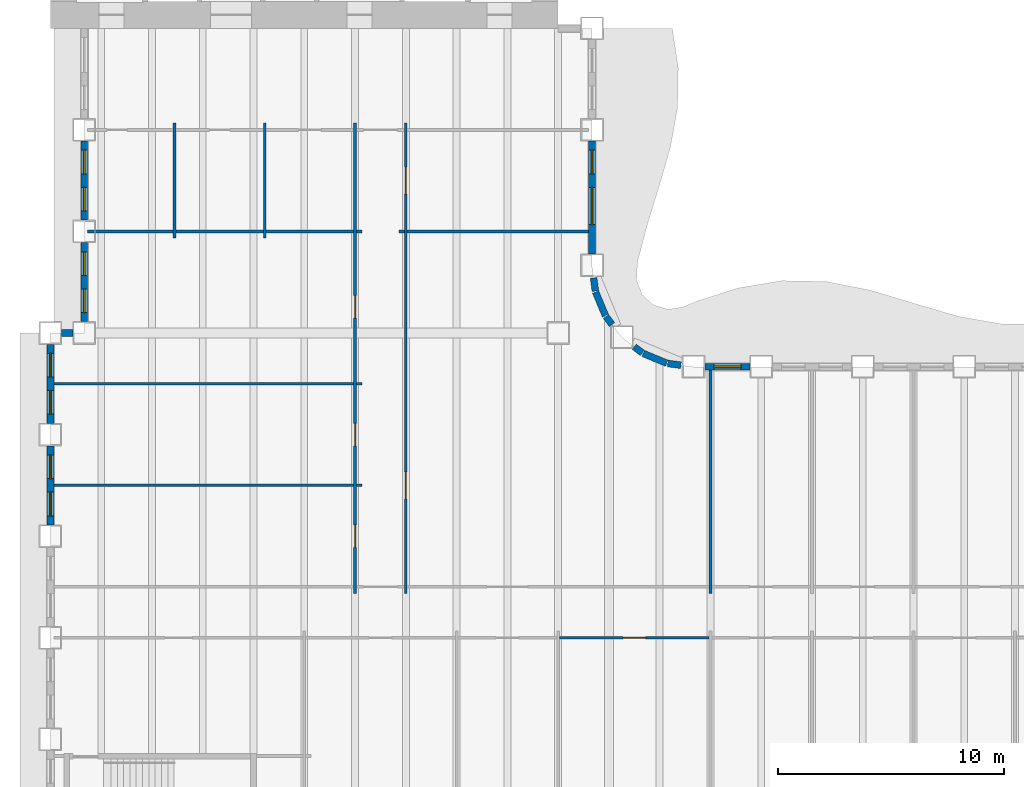
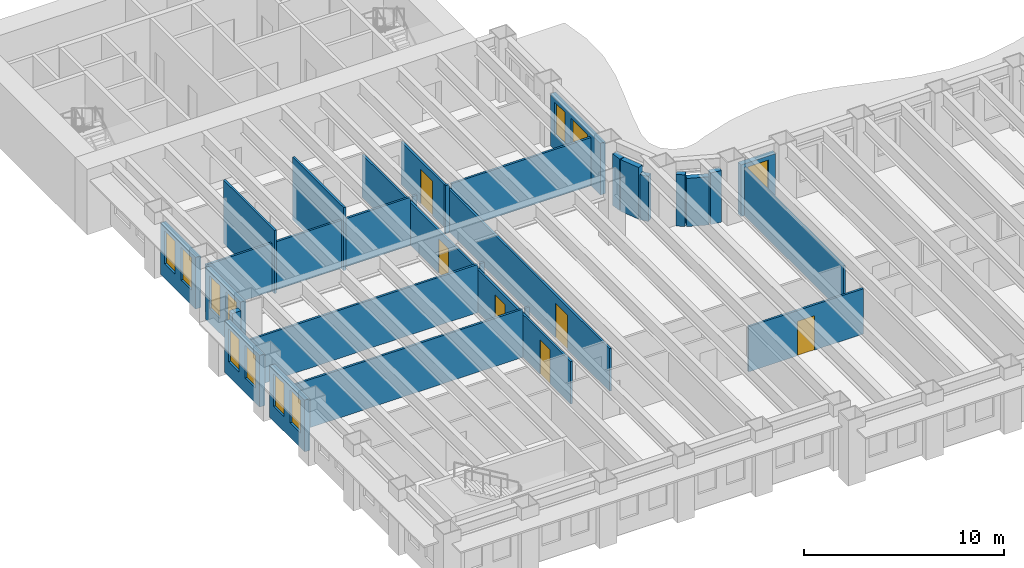
# One storey, part 4 of 16: 29 walls, 11 windows, 6 doors, 17 openings.
"""IFC4 building model written with IfcOpenShell, lengths in metres."""

import ifcopenshell
import ifcopenshell.guid

model = None  # the IFC model being written
_history = None  # IfcOwnerHistory: only IFC2X3 demands one
_inside = {}  # id of a spatial element -> (the spatial element, [elements in it])
_under = {}  # id of a project, library or spatial element -> (it, [spatial elements below it])
_declared = {}  # id of a project -> (the project, [libraries it declares])
_typed = {}  # id of a type object -> (the type object, [elements of that type])
_made_of = {}  # id of a material, layer set ... -> (it, [elements and type objects made of it])


def new_model(schema):
    """Start an empty IFC model of exactly this schema.

    Asked for "IFC4X3", IfcOpenShell would pick the latest addendum, in which some entities
    have other attributes; the version numbers below select the first issue.
    IFC2X3 requires an IfcOwnerHistory on every rooted entity: one is made here for all.
    """
    global model, _history
    if schema == "IFC4X3":
        model = ifcopenshell.file(schema_version=(4, 3, 0, 0))
    else:
        model = ifcopenshell.file(schema=schema)
    _inside.clear()
    _under.clear()
    _declared.clear()
    _typed.clear()
    _made_of.clear()
    _history = None
    if model.schema == "IFC2X3":
        org = make("IfcOrganization", Name="unknown")
        user = make(
            "IfcPersonAndOrganization",
            ThePerson=make("IfcPerson", FamilyName="unknown"),
            TheOrganization=org,
        )
        app = make(
            "IfcApplication",
            ApplicationDeveloper=org,
            Version="unknown",
            ApplicationFullName="unknown",
            ApplicationIdentifier="unknown",
        )
        _history = make(
            "IfcOwnerHistory",
            OwningUser=user,
            OwningApplication=app,
            ChangeAction="ADDED",
            CreationDate=0,
        )
    return model


def make(cls, **values):
    """One entity of the class cls with the attributes given. An attribute that is None is left unset."""
    return model.create_entity(
        cls, **{name: value for name, value in values.items() if value is not None}
    )


def rooted(cls, **values):
    """An entity with a GlobalId (a new one), such as an element, a storey or a relation."""
    return make(cls, GlobalId=ifcopenshell.guid.new(), OwnerHistory=_history, **values)


def si_unit(unit_type, name, prefix=None):
    """IfcSIUnit, for example si_unit("LENGTHUNIT", "METRE", prefix="MILLI")."""
    return make("IfcSIUnit", UnitType=unit_type, Prefix=prefix, Name=name)


def assignment(units):
    """IfcUnitAssignment: the units of a project."""
    return None if units is None else make("IfcUnitAssignment", Units=units)


def point(xyz):
    """IfcCartesianPoint."""
    return None if xyz is None else make("IfcCartesianPoint", Coordinates=xyz)


def direction(xyz):
    """IfcDirection."""
    return None if xyz is None else make("IfcDirection", DirectionRatios=xyz)


def frame(location, z_axis=None, x_axis=None):
    """IfcAxis2Placement3D, a coordinate frame: its origin and axes. An axis left out is left unset."""
    return make(
        "IfcAxis2Placement3D",
        Location=point(location),
        Axis=direction(z_axis),
        RefDirection=direction(x_axis),
    )


def frame_2d(location, x_axis=None):
    """IfcAxis2Placement2D, a coordinate frame in the plane: its origin and x axis."""
    return make(
        "IfcAxis2Placement2D", Location=point(location), RefDirection=direction(x_axis)
    )


def origin():
    """The frame at (0, 0, 0) with its axes left unset."""
    return frame((0.0, 0.0, 0.0))


def place(relative_to, where):
    """IfcLocalPlacement: puts the frame where relative to a parent placement (None: the world)."""
    return make(
        "IfcLocalPlacement", PlacementRelTo=relative_to, RelativePlacement=where
    )


def context(
    kind, dimensions, precision=None, world=None, true_north=None, identifier=None
):
    """IfcGeometricRepresentationContext, for example the 3D "Model" context."""
    return make(
        "IfcGeometricRepresentationContext",
        ContextIdentifier=identifier,
        ContextType=kind,
        CoordinateSpaceDimension=dimensions,
        Precision=precision,
        WorldCoordinateSystem=world,
        TrueNorth=true_north,
    )


def subcontext(parent, identifier, kind, view, scale=None):
    """IfcGeometricRepresentationSubContext, for example "Body" below "Model"."""
    return make(
        "IfcGeometricRepresentationSubContext",
        ContextIdentifier=identifier,
        ContextType=kind,
        ParentContext=parent,
        TargetScale=scale,
        TargetView=view,
    )


def project(units=None, contexts=None):
    """IfcProject with its units and contexts."""
    return rooted(
        "IfcProject",
        Name="project",
        RepresentationContexts=contexts,
        UnitsInContext=assignment(units),
    )


def spatial(cls, under=None, at=None, **own):
    """A site, building, storey or space (cls), placed at a placement, below another one or the project."""
    s = rooted(cls, ObjectPlacement=at, **own)
    if under is not None:
        _under.setdefault(under.id(), (under, []))[1].append(s)
    return s


def profile(cls, at=None, kind="AREA", **sizes):
    """A parametric profile (cls). Its sizes go by their IFC names, for example OverallWidth=200.0."""
    return make(cls, ProfileType=kind, Position=at, **sizes)


def rectangle(**sizes):
    """IfcRectangleProfileDef."""
    return profile("IfcRectangleProfileDef", **sizes)


def extrude(swept, where, along, depth):
    """IfcExtrudedAreaSolid: the profile swept, set in the frame where, extruded along a direction by depth."""
    return make(
        "IfcExtrudedAreaSolid",
        SweptArea=swept,
        Position=where,
        ExtrudedDirection=direction(along),
        Depth=depth,
    )


def shape(context_of_items, identifier, shape_type, items):
    """IfcShapeRepresentation: the items that make up one representation, for example the "Body"."""
    return make(
        "IfcShapeRepresentation",
        ContextOfItems=context_of_items,
        RepresentationIdentifier=identifier,
        RepresentationType=shape_type,
        Items=items,
    )


def material(Name=None, Category=None):
    """IfcMaterial."""
    return make("IfcMaterial", Name=Name, Category=Category)


def layer(
    of_material, thickness, ventilated=None, Name=None, Category=None, Priority=None
):
    """IfcMaterialLayer: one layer of a wall or slab, of a material (None: an air gap)."""
    return make(
        "IfcMaterialLayer",
        Material=of_material,
        LayerThickness=thickness,
        IsVentilated=ventilated,
        Name=Name,
        Category=Category,
        Priority=Priority,
    )


def layer_set(layers, Name=None):
    """IfcMaterialLayerSet."""
    return make("IfcMaterialLayerSet", MaterialLayers=layers, LayerSetName=Name)


def made_of(thing, what):
    """Note that an element or type object is made of a material, layer set ...; save() writes the relation."""
    if what is not None:
        _made_of.setdefault(what.id(), (what, []))[1].append(thing)
    return thing


def type_object(cls, material=None, **own):
    """A type object (cls), such as IfcWallType, which elements share."""
    return made_of(rooted(cls, **own), material)


def element(
    cls,
    number,
    at=None,
    inside=None,
    cuts=None,
    type_object=None,
    material=None,
    context=None,
    identifier="Body",
    shape_type=None,
    held_by="IfcProductDefinitionShape",
    body=None,
    shapes=None,
    **own,
):
    """One element of the class cls, such as IfcWall. Its Tag is "e" and its number.

    at: its placement. inside: the storey or other place that contains it. cuts: it is an
    opening in that element (IfcRelVoidsElement). A single representation is given by context,
    identifier, shape_type and body (its items); several are given by shapes. held_by: the class
    of the entity that holds the representations. save() writes the other relations.
    """
    e = rooted(cls, Tag="e%d" % number, ObjectPlacement=at, **own)
    if body is not None:
        shapes = [shape(context, identifier, shape_type, body)]
    if shapes is not None:
        e.Representation = make(held_by, Representations=shapes)
    if inside is not None:
        _inside.setdefault(inside.id(), (inside, []))[1].append(e)
    if cuts is not None:
        rooted(
            "IfcRelVoidsElement", RelatingBuildingElement=cuts, RelatedOpeningElement=e
        )
    if type_object is not None:
        _typed.setdefault(type_object.id(), (type_object, []))[1].append(e)
    return made_of(e, material)


def fill(opening, filler):
    """IfcRelFillsElement: the door or window that sits in an opening."""
    return rooted(
        "IfcRelFillsElement",
        RelatingOpeningElement=opening,
        RelatedBuildingElement=filler,
    )


def aggregate(whole, parts):
    """IfcRelAggregates: a whole, such as a stair, and the parts it consists of."""
    return rooted("IfcRelAggregates", RelatingObject=whole, RelatedObjects=parts)


def save(model, path):
    """Write the relations noted so far, then the file.

    IfcRelAggregates (storeys below a building ...), IfcRelContainedInSpatialStructure (elements
    in a storey), IfcRelDefinesByType, IfcRelAssociatesMaterial and IfcRelDeclares: one each for
    every whole, place, type object, material and project.
    """
    for whole, parts in _under.values():
        aggregate(whole, parts)
    for where, things in _inside.values():
        rooted(
            "IfcRelContainedInSpatialStructure",
            RelatedElements=things,
            RelatingStructure=where,
        )
    for kind, things in _typed.values():
        rooted("IfcRelDefinesByType", RelatedObjects=things, RelatingType=kind)
    for what, things in _made_of.values():
        rooted("IfcRelAssociatesMaterial", RelatedObjects=things, RelatingMaterial=what)
    for by, libraries in _declared.values():
        rooted("IfcRelDeclares", RelatingContext=by, RelatedDefinitions=libraries)
    model.write(path)


model = new_model("IFC4")

# Units and contexts
model_context = context("Model", 3, precision=1e-05, world=origin(), true_north=direction((0.0, 1.0)))
body_context = subcontext(model_context, "Body", "Model", "MODEL_VIEW")
ifc_project = project(units=[si_unit("LENGTHUNIT", "METRE"), si_unit("AREAUNIT", "SQUARE_METRE"), si_unit("VOLUMEUNIT", "CUBIC_METRE"), si_unit("PLANEANGLEUNIT", "RADIAN"), si_unit("MASSUNIT", "GRAM", prefix="KILO")], contexts=[model_context])

# Site, building, storey
site_placement = place(None, origin())
site = spatial("IfcSite", under=ifc_project, at=site_placement, CompositionType="ELEMENT")
building_placement = place(site_placement, origin())
building = spatial("IfcBuilding", under=site, at=building_placement, Name="Sennacour Bend Tower", CompositionType="ELEMENT")
storey_placement = place(building_placement, frame((0.0, 0.0, 95.0)))
storey = spatial("IfcBuildingStorey", under=building, at=storey_placement, Name="L21", CompositionType="ELEMENT", Elevation=95.0)

# Walls
ifc_material_1 = material(Name="Plasterboard partition on steel studs", Category="steel")
ifc_layer_1 = layer(ifc_material_1, 0.1201171875, Name="Plasterboard partition on steel studs", Category="steel")
ifc_layer_set_1 = layer_set([ifc_layer_1], Name="Plasterboard partition on steel studs")
wall_type_1 = type_object("IfcWallType", Name="Partition 120", PredefinedType="PARTITIONING", material=ifc_layer_set_1)
for number, where, z_axis, x_axis, name in (
    (1, (5.5, 26.699951171875, 0.0), (0.0, 0.0, 1.0), (0.0, 1.0, 0.0), "P-L21-W007a"),
    (2, (9.5, 26.699951171875, 0.0), (0.0, 0.0, 1.0), (0.0, 1.0, 0.0), "P-L21-W011a"),
):
    element("IfcWall", number, at=place(storey_placement, frame(where, z_axis=z_axis, x_axis=x_axis)), inside=storey, type_object=wall_type_1, Name=name, PredefinedType="PARTITIONING", context=body_context, shape_type="SweptSolid", body=[
        extrude(rectangle(XDim=5.10009765625, YDim=0.1201171875, at=frame_2d((2.550048828125, 0.0))), origin(), (0.0, 0.0, 1.0), 3.85009765625),
    ])

# Wall, openings, doors
wall_1_placement = place(storey_placement, frame((13.5, 10.949951171875, 0.0), z_axis=(0.0, 0.0, 1.0), x_axis=(0.0, 1.0, 0.0)))
wall_1 = element("IfcWall", 3, at=wall_1_placement, inside=storey, type_object=wall_type_1, Name="P-L21-W014a", PredefinedType="PARTITIONING", context=body_context, shape_type="SweptSolid", body=[
    extrude(rectangle(XDim=20.85009765625, YDim=0.1201171875, at=frame_2d((10.425048828125, 0.0))), origin(), (0.0, 0.0, 1.0), 2.60009765625),
])
opening_1_placement = place(wall_1_placement, frame((2.050048828125, 0.0, 0.0)))
opening_1 = element("IfcOpeningElement", 4, at=opening_1_placement, cuts=wall_1, Name="Opening OD2", PredefinedType="OPENING", context=body_context, shape_type="SweptSolid", body=[
    extrude(rectangle(XDim=1.0, YDim=2.10009765625, at=frame_2d((0.5, 1.050048828125))), frame((0.0, 0.070068359375, 0.0), z_axis=(0.0, -1.0, 0.0), x_axis=(1.0, 0.0, 0.0)), (0.0, 0.0, 1.0), 0.14013671875),
])
opening_2_placement = place(wall_1_placement, frame((6.550048828125, 0.0, 0.0)))
opening_2 = element("IfcOpeningElement", 5, at=opening_2_placement, cuts=wall_1, Name="Opening OD2", PredefinedType="OPENING", context=body_context, shape_type="SweptSolid", body=[
    extrude(rectangle(XDim=1.0, YDim=2.10009765625, at=frame_2d((0.5, 1.050048828125))), frame((0.0, 0.070068359375, 0.0), z_axis=(0.0, -1.0, 0.0), x_axis=(1.0, 0.0, 0.0)), (0.0, 0.0, 1.0), 0.14013671875),
])
opening_3_placement = place(wall_1_placement, frame((12.205078125, 0.0, 0.0)))
opening_3 = element("IfcOpeningElement", 6, at=opening_3_placement, cuts=wall_1, Name="Opening OD2", PredefinedType="OPENING", context=body_context, shape_type="SweptSolid", body=[
    extrude(rectangle(XDim=1.0, YDim=2.10009765625, at=frame_2d((0.5, 1.050048828125))), frame((0.0, 0.070068359375, 0.0), z_axis=(0.0, -1.0, 0.0), x_axis=(1.0, 0.0, 0.0)), (0.0, 0.0, 1.0), 0.14013671875),
])
ifc_material_2 = material(Name="Timber", Category="wood")
door_type_1 = type_object("IfcDoorType", Name="DR-OFFICE-1000", OperationType="NOTDEFINED", PredefinedType="DOOR", material=ifc_material_2)
door_1_placement = place(opening_1_placement, origin())
door_1 = element("IfcDoor", 7, at=door_1_placement, inside=storey, type_object=door_type_1, Name="Door", OperationType="SINGLE_SWING_LEFT", OverallHeight=2.10009765625, OverallWidth=1.0, PredefinedType="DOOR", context=body_context, shape_type="SweptSolid", body=[
    extrude(rectangle(XDim=1.0, YDim=2.10009765625, at=frame_2d((0.5, 1.050048828125))), frame((0.0, 0.02490234375, 0.0), z_axis=(0.0, -1.0, 0.0), x_axis=(1.0, 0.0, 0.0)), (0.0, 0.0, 1.0), 0.050048828125),
])
fill(opening_1, door_1)
door_2_placement = place(opening_2_placement, origin())
door_2 = element("IfcDoor", 8, at=door_2_placement, inside=storey, type_object=door_type_1, Name="Door", OperationType="SINGLE_SWING_LEFT", OverallHeight=2.10009765625, OverallWidth=1.0, PredefinedType="DOOR", context=body_context, shape_type="SweptSolid", body=[
    extrude(rectangle(XDim=1.0, YDim=2.10009765625, at=frame_2d((0.5, 1.050048828125))), frame((0.0, 0.02490234375, 0.0), z_axis=(0.0, -1.0, 0.0), x_axis=(1.0, 0.0, 0.0)), (0.0, 0.0, 1.0), 0.050048828125),
])
fill(opening_2, door_2)
door_3_placement = place(opening_3_placement, origin())
door_3 = element("IfcDoor", 9, at=door_3_placement, inside=storey, type_object=door_type_1, Name="Door", OperationType="SINGLE_SWING_RIGHT", OverallHeight=2.10009765625, OverallWidth=1.0, PredefinedType="DOOR", context=body_context, shape_type="SweptSolid", body=[
    extrude(rectangle(XDim=1.0, YDim=2.10009765625, at=frame_2d((0.5, 1.050048828125))), frame((0.0, 0.02490234375, 0.0), z_axis=(0.0, -1.0, 0.0), x_axis=(1.0, 0.0, 0.0)), (0.0, 0.0, 1.0), 0.050048828125),
])
fill(opening_3, door_3)

wall_2_placement = place(storey_placement, frame((15.75, 10.949951171875, 0.0), z_axis=(0.0, 0.0, 1.0), x_axis=(0.0, 1.0, 0.0)))
wall_2 = element("IfcWall", 10, at=wall_2_placement, inside=storey, type_object=wall_type_1, Name="P-L21-W018a", PredefinedType="PARTITIONING", context=body_context, shape_type="SweptSolid", body=[
    extrude(rectangle(XDim=20.85009765625, YDim=0.1201171875, at=frame_2d((10.425048828125, 0.0))), origin(), (0.0, 0.0, 1.0), 2.60009765625),
])
opening_4_placement = place(wall_2_placement, frame((17.699951171875, 0.0, 0.0)))
opening_4 = element("IfcOpeningElement", 11, at=opening_4_placement, cuts=wall_2, Name="Opening MD", PredefinedType="OPENING", context=body_context, shape_type="SweptSolid", body=[
    extrude(rectangle(XDim=1.199951171875, YDim=2.10009765625, at=frame_2d((0.60009765625, 1.050048828125))), frame((0.0, 0.070068359375, 0.0), z_axis=(0.0, -1.0, 0.0), x_axis=(1.0, 0.0, 0.0)), (0.0, 0.0, 1.0), 0.14013671875),
])
opening_5_placement = place(wall_2_placement, frame((4.199951171875, 0.0, 0.0)))
opening_5 = element("IfcOpeningElement", 12, at=opening_5_placement, cuts=wall_2, Name="Opening OD", PredefinedType="OPENING", context=body_context, shape_type="SweptSolid", body=[
    extrude(rectangle(XDim=1.199951171875, YDim=2.10009765625, at=frame_2d((0.60009765625, 1.050048828125))), frame((0.0, 0.070068359375, 0.0), z_axis=(0.0, -1.0, 0.0), x_axis=(1.0, 0.0, 0.0)), (0.0, 0.0, 1.0), 0.14013671875),
])
door_type_2 = type_object("IfcDoorType", Name="DR-MEETING-1200", OperationType="NOTDEFINED", PredefinedType="DOOR", material=ifc_material_2)
door_4_placement = place(opening_4_placement, origin())
door_4 = element("IfcDoor", 13, at=door_4_placement, inside=storey, type_object=door_type_2, Name="Door", OperationType="SINGLE_SWING_RIGHT", OverallHeight=2.10009765625, OverallWidth=1.199951171875, PredefinedType="DOOR", context=body_context, shape_type="SweptSolid", body=[
    extrude(rectangle(XDim=1.199951171875, YDim=2.10009765625, at=frame_2d((0.60009765625, 1.050048828125))), frame((0.0, 0.02490234375, 0.0), z_axis=(0.0, -1.0, 0.0), x_axis=(1.0, 0.0, 0.0)), (0.0, 0.0, 1.0), 0.050048828125),
])
fill(opening_4, door_4)
door_type_3 = type_object("IfcDoorType", Name="DR-OFFICE-1200", OperationType="NOTDEFINED", PredefinedType="DOOR", material=ifc_material_2)
door_5_placement = place(opening_5_placement, origin())
door_5 = element("IfcDoor", 14, at=door_5_placement, inside=storey, type_object=door_type_3, Name="Door", OperationType="SINGLE_SWING_LEFT", OverallHeight=2.10009765625, OverallWidth=1.199951171875, PredefinedType="DOOR", context=body_context, shape_type="SweptSolid", body=[
    extrude(rectangle(XDim=1.199951171875, YDim=2.10009765625, at=frame_2d((0.60009765625, 1.050048828125))), frame((0.0, 0.02490234375, 0.0), z_axis=(0.0, -1.0, 0.0), x_axis=(1.0, 0.0, 0.0)), (0.0, 0.0, 1.0), 0.050048828125),
])
fill(opening_5, door_5)

# Wall
wall_3_placement = place(storey_placement, frame((29.25, 10.949951171875, 0.0), z_axis=(0.0, 0.0, 1.0), x_axis=(0.0, 1.0, 0.0)))
element("IfcWall", 15, at=wall_3_placement, inside=storey, type_object=wall_type_1, Name="P-L21-W026a", PredefinedType="PARTITIONING", context=body_context, shape_type="SweptSolid", body=[
    extrude(rectangle(XDim=9.900146484375, YDim=0.1201171875, at=frame_2d((4.9501953125, 0.0))), origin(), (0.0, 0.0, 1.0), 2.93798828125),
])

# Wall, opening, door
wall_4_placement = place(storey_placement, frame((22.56005859375, 9.0, 0.0), z_axis=(0.0, 0.0, 1.0), x_axis=(1.0, 0.0, 0.0)))
wall_4 = element("IfcWall", 16, at=wall_4_placement, inside=storey, type_object=wall_type_1, Name="P-L21-W058ad", PredefinedType="PARTITIONING", context=body_context, shape_type="SweptSolid", body=[
    extrude(rectangle(XDim=6.6298828125, YDim=0.1201171875, at=frame_2d((3.31494140625, 0.0))), origin(), (0.0, 0.0, 1.0), 2.760009765625),
])
opening_6_placement = place(wall_4_placement, frame((2.81494140625, 0.0, 0.0)))
opening_6 = element("IfcOpeningElement", 17, at=opening_6_placement, cuts=wall_4, Name="Opening OD2", PredefinedType="OPENING", context=body_context, shape_type="SweptSolid", body=[
    extrude(rectangle(XDim=1.0, YDim=2.10009765625, at=frame_2d((0.5, 1.050048828125))), frame((0.0, 0.070068359375, 0.0), z_axis=(0.0, -1.0, 0.0), x_axis=(1.0, 0.0, 0.0)), (0.0, 0.0, 1.0), 0.14013671875),
])
door_6_placement = place(opening_6_placement, origin())
door_6 = element("IfcDoor", 18, at=door_6_placement, inside=storey, type_object=door_type_1, Name="Door", OperationType="SINGLE_SWING_LEFT", OverallHeight=2.10009765625, OverallWidth=1.0, PredefinedType="DOOR", context=body_context, shape_type="SweptSolid", body=[
    extrude(rectangle(XDim=1.0, YDim=2.10009765625, at=frame_2d((0.5, 1.050048828125))), frame((0.0, 0.02490234375, 0.0), z_axis=(0.0, -1.0, 0.0), x_axis=(1.0, 0.0, 0.0)), (0.0, 0.0, 1.0), 0.050048828125),
])
fill(opening_6, door_6)

# Walls
wall_5_placement = place(storey_placement, frame((0.14990234375, 15.75, 0.0), z_axis=(0.0, 0.0, 1.0), x_axis=(1.0, 0.0, 0.0)))
element("IfcWall", 19, at=wall_5_placement, inside=storey, type_object=wall_type_1, Name="P-L21-W066aa", PredefinedType="PARTITIONING", context=body_context, shape_type="SweptSolid", body=[
    extrude(rectangle(XDim=13.2900390625, YDim=0.1201171875, at=frame_2d((6.64501953125, 0.0))), origin(), (0.0, 0.0, 1.0), 2.93798828125),
])
wall_6_placement = place(storey_placement, frame((13.56005859375, 15.75, 0.0), z_axis=(0.0, 0.0, 1.0), x_axis=(1.0, 0.0, 0.0)))
element("IfcWall", 20, at=wall_6_placement, inside=storey, type_object=wall_type_1, Name="P-L21-W066ab", PredefinedType="PARTITIONING", context=body_context, shape_type="SweptSolid", body=[
    extrude(rectangle(XDim=0.239990234375, YDim=0.1201171875, at=frame_2d((0.1201171875, 0.0))), origin(), (0.0, 0.0, 1.0), 2.93798828125),
])
wall_7_placement = place(storey_placement, frame((0.14990234375, 20.25, 0.0), z_axis=(0.0, 0.0, 1.0), x_axis=(1.0, 0.0, 0.0)))
element("IfcWall", 21, at=wall_7_placement, inside=storey, type_object=wall_type_1, Name="P-L21-W071aa", PredefinedType="PARTITIONING", context=body_context, shape_type="SweptSolid", body=[
    extrude(rectangle(XDim=13.2900390625, YDim=0.1201171875, at=frame_2d((6.64501953125, 0.0))), origin(), (0.0, 0.0, 1.0), 2.93798828125),
])
wall_8_placement = place(storey_placement, frame((13.56005859375, 20.25, 0.0), z_axis=(0.0, 0.0, 1.0), x_axis=(1.0, 0.0, 0.0)))
element("IfcWall", 22, at=wall_8_placement, inside=storey, type_object=wall_type_1, Name="P-L21-W071ab", PredefinedType="PARTITIONING", context=body_context, shape_type="SweptSolid", body=[
    extrude(rectangle(XDim=0.239990234375, YDim=0.1201171875, at=frame_2d((0.1201171875, 0.0))), origin(), (0.0, 0.0, 1.0), 2.93798828125),
])
wall_9_placement = place(storey_placement, frame((1.64990234375, 27.0, 0.0), z_axis=(0.0, 0.0, 1.0), x_axis=(1.0, 0.0, 0.0)))
element("IfcWall", 23, at=wall_9_placement, inside=storey, type_object=wall_type_1, Name="P-L21-W074aa", PredefinedType="PARTITIONING", context=body_context, shape_type="SweptSolid", body=[
    extrude(rectangle(XDim=3.7900390625, YDim=0.1201171875, at=frame_2d((1.89501953125, 0.0))), origin(), (0.0, 0.0, 1.0), 2.93798828125),
])
for number, where, z_axis, x_axis, name in (
    (24, (5.56005859375, 27.0, 0.0), (0.0, 0.0, 1.0), (1.0, 0.0, 0.0), "P-L21-W074ab"),
    (25, (9.56005859375, 27.0, 0.0), (0.0, 0.0, 1.0), (1.0, 0.0, 0.0), "P-L21-W074ac"),
):
    element("IfcWall", number, at=place(storey_placement, frame(where, z_axis=z_axis, x_axis=x_axis)), inside=storey, type_object=wall_type_1, Name=name, PredefinedType="PARTITIONING", context=body_context, shape_type="SweptSolid", body=[
        extrude(rectangle(XDim=3.8798828125, YDim=0.1201171875, at=frame_2d((1.93994140625, 0.0))), origin(), (0.0, 0.0, 1.0), 2.93798828125),
    ])
for number, where, z_axis, x_axis, name in (
    (26, (13.56005859375, 27.0, 0.0), (0.0, 0.0, 1.0), (1.0, 0.0, 0.0), "P-L21-W074ad"),
    (27, (15.449951171875, 27.0, 0.0), (0.0, 0.0, 1.0), (1.0, 0.0, 0.0), "P-L21-W075aa"),
):
    element("IfcWall", number, at=place(storey_placement, frame(where, z_axis=z_axis, x_axis=x_axis)), inside=storey, type_object=wall_type_1, Name=name, PredefinedType="PARTITIONING", context=body_context, shape_type="SweptSolid", body=[
        extrude(rectangle(XDim=0.239990234375, YDim=0.1201171875, at=frame_2d((0.1201171875, 0.0))), origin(), (0.0, 0.0, 1.0), 2.93798828125),
    ])
wall_10_placement = place(storey_placement, frame((15.81005859375, 27.0, 0.0), z_axis=(0.0, 0.0, 1.0), x_axis=(1.0, 0.0, 0.0)))
element("IfcWall", 28, at=wall_10_placement, inside=storey, type_object=wall_type_1, Name="P-L21-W075ab", PredefinedType="PARTITIONING", context=body_context, shape_type="SweptSolid", body=[
    extrude(rectangle(XDim=8.0400390625, YDim=0.1201171875, at=frame_2d((4.02001953125, 0.0))), origin(), (0.0, 0.0, 1.0), 2.93798828125),
])

# Wall, opening, window
ifc_material_3 = material(Name="Warm limestone cladding", Category="masonry")
ifc_layer_2 = layer(ifc_material_3, 0.050048828125, Name="Warm limestone cladding", Category="masonry")
ifc_material_4 = material(Name="Precast concrete C40/50", Category="concrete")
ifc_layer_3 = layer(ifc_material_4, 0.25, Name="Precast concrete C40/50", Category="concrete")
ifc_layer_set_2 = layer_set([ifc_layer_2, ifc_layer_3], Name="Precast concrete C40/50 with limestone cladding")
wall_type_2 = type_object("IfcWallType", Name="STONE-CLAD PRECAST SPANDREL 300", PredefinedType="STANDARD", material=ifc_layer_set_2)
wall_11_placement = place(storey_placement, frame((31.0, 21.0, 0.0), z_axis=(0.0, 0.0, 1.0), x_axis=(-1.0, 0.0, 0.0)))
wall_11 = element("IfcWall", 29, at=wall_11_placement, inside=storey, type_object=wall_type_2, Name="Stone spandrel and pier wall L21 06.05", PredefinedType="STANDARD", context=body_context, shape_type="SweptSolid", body=[
    extrude(rectangle(XDim=2.0, YDim=0.300048828125, at=frame_2d((1.0, 0.0))), origin(), (0.0, 0.0, 1.0), 3.154052734375),
])
opening_7_placement = place(wall_11_placement, frame((0.39990234375, 0.0, 0.89990234375)))
opening_7 = element("IfcOpeningElement", 30, at=opening_7_placement, cuts=wall_11, Name="Opening W14", PredefinedType="OPENING", context=body_context, shape_type="SweptSolid", body=[
    extrude(rectangle(XDim=1.199951171875, YDim=2.0, at=frame_2d((0.60009765625, 1.0))), frame((0.0, 0.16015625, 0.0), z_axis=(0.0, -1.0, 0.0), x_axis=(1.0, 0.0, 0.0)), (0.0, 0.0, 1.0), 0.320068359375),
])
ifc_material_5 = material(Name="Clear low-emissivity glass", Category="glass")
window_type_1 = type_object("IfcWindowType", Name="WIN-RIBBON-1200x2000", PartitioningType="SINGLE_PANEL", PredefinedType="WINDOW", material=ifc_material_5)
window_1_placement = place(opening_7_placement, origin())
window_1 = element("IfcWindow", 31, at=window_1_placement, inside=storey, type_object=window_type_1, Name="Ribbon window L21 06.05", OverallHeight=2.0, OverallWidth=1.199951171875, PartitioningType="SINGLE_PANEL", PredefinedType="WINDOW", context=body_context, shape_type="SweptSolid", body=[
    extrude(rectangle(XDim=1.199951171875, YDim=2.0, at=frame_2d((0.60009765625, 1.0))), frame((0.0, 0.030029296875, 0.0), z_axis=(0.0, -1.0, 0.0), x_axis=(1.0, 0.0, 0.0)), (0.0, 0.0, 1.0), 0.06005859375),
])
fill(opening_7, window_1)

# Walls
wall_12_placement = place(storey_placement, frame((27.94384765625, 21.0732421875, 0.0), z_axis=(0.0, 0.0, 1.0), x_axis=(-0.991420685839, 0.130709692412, 0.0)))
element("IfcWall", 32, at=wall_12_placement, inside=storey, type_object=wall_type_2, Name="Stone spandrel and pier wall L21 07.00", PredefinedType="STANDARD", context=body_context, shape_type="SweptSolid", body=[
    extrude(rectangle(XDim=0.593994140625, YDim=0.300048828125, at=frame_2d((0.296875, 0.0))), origin(), (0.0, 0.0, 1.0), 3.154052734375),
])
wall_13_placement = place(storey_placement, frame((27.317138671875, 21.160888671875, 0.0), z_axis=(0.0, 0.0, 1.0), x_axis=(-0.923914616768, 0.382598720491, 0.0)))
element("IfcWall", 33, at=wall_13_placement, inside=storey, type_object=wall_type_2, Name="Stone spandrel and pier wall L21 08.00", PredefinedType="STANDARD", context=body_context, shape_type="SweptSolid", body=[
    extrude(rectangle(XDim=1.13525390625, YDim=0.300048828125, at=frame_2d((0.567626953125, 0.0))), origin(), (0.0, 0.0, 1.0), 2.93798828125),
])
wall_14_placement = place(storey_placement, frame((26.234375, 21.614990234375, 0.0), z_axis=(0.0, 0.0, 1.0), x_axis=(-0.793563062559, 0.608488016104, 0.0)))
element("IfcWall", 34, at=wall_14_placement, inside=storey, type_object=wall_type_2, Name="Stone spandrel and pier wall L21 09.00", PredefinedType="STANDARD", context=body_context, shape_type="SweptSolid", body=[
    extrude(rectangle(XDim=0.453857421875, YDim=0.300048828125, at=frame_2d((0.22705078125, 0.0))), origin(), (0.0, 0.0, 1.0), 3.154052734375),
])
wall_15_placement = place(storey_placement, frame((24.89111328125, 22.874267578125, 0.0), z_axis=(0.0, 0.0, 1.0), x_axis=(-0.608488016104, 0.793563062559, 0.0)))
element("IfcWall", 35, at=wall_15_placement, inside=storey, type_object=wall_type_2, Name="Stone spandrel and pier wall L21 10.00", PredefinedType="STANDARD", context=body_context, shape_type="SweptSolid", body=[
    extrude(rectangle(XDim=0.453857421875, YDim=0.300048828125, at=frame_2d((0.22705078125, 0.0))), origin(), (0.0, 0.0, 1.0), 2.760009765625),
])
wall_16_placement = place(storey_placement, frame((24.59521484375, 23.268310546875, 0.0), z_axis=(0.0, 0.0, 1.0), x_axis=(-0.382598720491, 0.923914616768, 0.0)))
element("IfcWall", 36, at=wall_16_placement, inside=storey, type_object=wall_type_2, Name="Stone spandrel and pier wall L21 11.00", PredefinedType="STANDARD", context=body_context, shape_type="SweptSolid", body=[
    extrude(rectangle(XDim=1.13525390625, YDim=0.300048828125, at=frame_2d((0.567626953125, 0.0))), origin(), (0.0, 0.0, 1.0), 3.154052734375),
])
wall_17_placement = place(storey_placement, frame((24.15087890625, 24.35498046875, 0.0), z_axis=(0.0, 0.0, 1.0), x_axis=(-0.130709692412, 0.991420685839, 0.0)))
element("IfcWall", 37, at=wall_17_placement, inside=storey, type_object=wall_type_2, Name="Stone spandrel and pier wall L21 12.00", PredefinedType="STANDARD", context=body_context, shape_type="SweptSolid", body=[
    extrude(rectangle(XDim=0.593994140625, YDim=0.300048828125, at=frame_2d((0.296875, 0.0))), origin(), (0.0, 0.0, 1.0), 3.154052734375),
])

# Wall, openings, windows
wall_18_placement = place(storey_placement, frame((24.0, 26.0, 0.0), z_axis=(0.0, 0.0, 1.0), x_axis=(0.0, 1.0, 0.0)))
wall_18 = element("IfcWall", 38, at=wall_18_placement, inside=storey, type_object=wall_type_2, Name="Stone spandrel and pier wall L21 13.00", PredefinedType="STANDARD", context=body_context, shape_type="SweptSolid", body=[
    extrude(rectangle(XDim=5.0, YDim=0.300048828125, at=frame_2d((2.5, 0.0))), origin(), (0.0, 0.0, 1.0), 3.154052734375),
])
opening_8_placement = place(wall_18_placement, frame((1.300048828125, 0.0, 0.89990234375)))
opening_8 = element("IfcOpeningElement", 39, at=opening_8_placement, cuts=wall_18, Name="Opening W10", PredefinedType="OPENING", context=body_context, shape_type="SweptSolid", body=[
    extrude(rectangle(XDim=1.64990234375, YDim=2.0, at=frame_2d((0.824951171875, 1.0))), frame((0.0, 0.16015625, 0.0), z_axis=(0.0, -1.0, 0.0), x_axis=(1.0, 0.0, 0.0)), (0.0, 0.0, 1.0), 0.320068359375),
])
opening_9_placement = place(wall_18_placement, frame((3.550048828125, 0.0, 0.89990234375)))
opening_9 = element("IfcOpeningElement", 40, at=opening_9_placement, cuts=wall_18, Name="Opening W13", PredefinedType="OPENING", context=body_context, shape_type="SweptSolid", body=[
    extrude(rectangle(XDim=1.050048828125, YDim=2.0, at=frame_2d((0.52490234375, 1.0))), frame((0.0, 0.16015625, 0.0), z_axis=(0.0, -1.0, 0.0), x_axis=(1.0, 0.0, 0.0)), (0.0, 0.0, 1.0), 0.320068359375),
])
window_type_2 = type_object("IfcWindowType", Name="WIN-RIBBON-1050x2000", PartitioningType="SINGLE_PANEL", PredefinedType="WINDOW", material=ifc_material_5)
window_2_placement = place(opening_9_placement, origin())
window_2 = element("IfcWindow", 41, at=window_2_placement, inside=storey, type_object=window_type_2, Name="Ribbon window L21 13.00.1", OverallHeight=2.0, OverallWidth=1.050048828125, PartitioningType="SINGLE_PANEL", PredefinedType="WINDOW", context=body_context, shape_type="SweptSolid", body=[
    extrude(rectangle(XDim=1.050048828125, YDim=2.0, at=frame_2d((0.52490234375, 1.0))), frame((0.0, 0.030029296875, 0.0), z_axis=(0.0, -1.0, 0.0), x_axis=(1.0, 0.0, 0.0)), (0.0, 0.0, 1.0), 0.06005859375),
])
fill(opening_9, window_2)
window_type_3 = type_object("IfcWindowType", Name="WIN-RIBBON-1650x2000", PartitioningType="SINGLE_PANEL", PredefinedType="WINDOW", material=ifc_material_5)
window_3_placement = place(opening_8_placement, origin())
window_3 = element("IfcWindow", 42, at=window_3_placement, inside=storey, type_object=window_type_3, Name="Ribbon window L21 13.00.0", OverallHeight=2.0, OverallWidth=1.64990234375, PartitioningType="SINGLE_PANEL", PredefinedType="WINDOW", context=body_context, shape_type="SweptSolid", body=[
    extrude(rectangle(XDim=1.64990234375, YDim=2.0, at=frame_2d((0.824951171875, 1.0))), frame((0.0, 0.030029296875, 0.0), z_axis=(0.0, -1.0, 0.0), x_axis=(1.0, 0.0, 0.0)), (0.0, 0.0, 1.0), 0.06005859375),
])
fill(opening_8, window_3)

wall_19_placement = place(storey_placement, frame((1.5, 31.0, 0.0), z_axis=(0.0, 0.0, 1.0), x_axis=(0.0, -1.0, 0.0)))
wall_19 = element("IfcWall", 43, at=wall_19_placement, inside=storey, type_object=wall_type_2, Name="Stone spandrel and pier wall L21 19.01", PredefinedType="STANDARD", context=body_context, shape_type="SweptSolid", body=[
    extrude(rectangle(XDim=3.5, YDim=0.300048828125, at=frame_2d((1.75, 0.0))), origin(), (0.0, 0.0, 1.0), 3.154052734375),
])
opening_10_placement = place(wall_19_placement, frame((0.39990234375, 0.0, 0.89990234375)))
opening_10 = element("IfcOpeningElement", 44, at=opening_10_placement, cuts=wall_19, Name="Opening W13", PredefinedType="OPENING", context=body_context, shape_type="SweptSolid", body=[
    extrude(rectangle(XDim=1.050048828125, YDim=2.0, at=frame_2d((0.52490234375, 1.0))), frame((0.0, 0.16015625, 0.0), z_axis=(0.0, -1.0, 0.0), x_axis=(1.0, 0.0, 0.0)), (0.0, 0.0, 1.0), 0.320068359375),
])
opening_11_placement = place(wall_19_placement, frame((2.050048828125, 0.0, 0.89990234375)))
opening_11 = element("IfcOpeningElement", 45, at=opening_11_placement, cuts=wall_19, Name="Opening W13", PredefinedType="OPENING", context=body_context, shape_type="SweptSolid", body=[
    extrude(rectangle(XDim=1.050048828125, YDim=2.0, at=frame_2d((0.52490234375, 1.0))), frame((0.0, 0.16015625, 0.0), z_axis=(0.0, -1.0, 0.0), x_axis=(1.0, 0.0, 0.0)), (0.0, 0.0, 1.0), 0.320068359375),
])
window_4_placement = place(opening_10_placement, origin())
window_4 = element("IfcWindow", 46, at=window_4_placement, inside=storey, type_object=window_type_2, Name="Ribbon window L21 19.01.0", OverallHeight=2.0, OverallWidth=1.050048828125, PartitioningType="SINGLE_PANEL", PredefinedType="WINDOW", context=body_context, shape_type="SweptSolid", body=[
    extrude(rectangle(XDim=1.050048828125, YDim=2.0, at=frame_2d((0.52490234375, 1.0))), frame((0.0, 0.030029296875, 0.0), z_axis=(0.0, -1.0, 0.0), x_axis=(1.0, 0.0, 0.0)), (0.0, 0.0, 1.0), 0.06005859375),
])
fill(opening_10, window_4)
window_5_placement = place(opening_11_placement, origin())
window_5 = element("IfcWindow", 47, at=window_5_placement, inside=storey, type_object=window_type_2, Name="Ribbon window L21 19.01.1", OverallHeight=2.0, OverallWidth=1.050048828125, PartitioningType="SINGLE_PANEL", PredefinedType="WINDOW", context=body_context, shape_type="SweptSolid", body=[
    extrude(rectangle(XDim=1.050048828125, YDim=2.0, at=frame_2d((0.52490234375, 1.0))), frame((0.0, 0.030029296875, 0.0), z_axis=(0.0, -1.0, 0.0), x_axis=(1.0, 0.0, 0.0)), (0.0, 0.0, 1.0), 0.06005859375),
])
fill(opening_11, window_5)

wall_20_placement = place(storey_placement, frame((1.5, 26.5, 0.0), z_axis=(0.0, 0.0, 1.0), x_axis=(0.0, -1.0, 0.0)))
wall_20 = element("IfcWall", 48, at=wall_20_placement, inside=storey, type_object=wall_type_2, Name="Stone spandrel and pier wall L21 19.02", PredefinedType="STANDARD", context=body_context, shape_type="SweptSolid", body=[
    extrude(rectangle(XDim=3.5, YDim=0.300048828125, at=frame_2d((1.75, 0.0))), origin(), (0.0, 0.0, 1.0), 3.154052734375),
])
opening_12_placement = place(wall_20_placement, frame((0.39990234375, 0.0, 0.89990234375)))
opening_12 = element("IfcOpeningElement", 49, at=opening_12_placement, cuts=wall_20, Name="Opening W13", PredefinedType="OPENING", context=body_context, shape_type="SweptSolid", body=[
    extrude(rectangle(XDim=1.050048828125, YDim=2.0, at=frame_2d((0.52490234375, 1.0))), frame((0.0, 0.16015625, 0.0), z_axis=(0.0, -1.0, 0.0), x_axis=(1.0, 0.0, 0.0)), (0.0, 0.0, 1.0), 0.320068359375),
])
opening_13_placement = place(wall_20_placement, frame((2.050048828125, 0.0, 0.89990234375)))
opening_13 = element("IfcOpeningElement", 50, at=opening_13_placement, cuts=wall_20, Name="Opening W13", PredefinedType="OPENING", context=body_context, shape_type="SweptSolid", body=[
    extrude(rectangle(XDim=1.050048828125, YDim=2.0, at=frame_2d((0.52490234375, 1.0))), frame((0.0, 0.16015625, 0.0), z_axis=(0.0, -1.0, 0.0), x_axis=(1.0, 0.0, 0.0)), (0.0, 0.0, 1.0), 0.320068359375),
])
window_6_placement = place(opening_12_placement, origin())
window_6 = element("IfcWindow", 51, at=window_6_placement, inside=storey, type_object=window_type_2, Name="Ribbon window L21 19.02.0", OverallHeight=2.0, OverallWidth=1.050048828125, PartitioningType="SINGLE_PANEL", PredefinedType="WINDOW", context=body_context, shape_type="SweptSolid", body=[
    extrude(rectangle(XDim=1.050048828125, YDim=2.0, at=frame_2d((0.52490234375, 1.0))), frame((0.0, 0.030029296875, 0.0), z_axis=(0.0, -1.0, 0.0), x_axis=(1.0, 0.0, 0.0)), (0.0, 0.0, 1.0), 0.06005859375),
])
fill(opening_12, window_6)
window_7_placement = place(opening_13_placement, origin())
window_7 = element("IfcWindow", 52, at=window_7_placement, inside=storey, type_object=window_type_2, Name="Ribbon window L21 19.02.1", OverallHeight=2.0, OverallWidth=1.050048828125, PartitioningType="SINGLE_PANEL", PredefinedType="WINDOW", context=body_context, shape_type="SweptSolid", body=[
    extrude(rectangle(XDim=1.050048828125, YDim=2.0, at=frame_2d((0.52490234375, 1.0))), frame((0.0, 0.030029296875, 0.0), z_axis=(0.0, -1.0, 0.0), x_axis=(1.0, 0.0, 0.0)), (0.0, 0.0, 1.0), 0.06005859375),
])
fill(opening_13, window_7)

# Wall
wall_21_placement = place(storey_placement, frame((1.0, 22.5, 0.0), z_axis=(0.0, 0.0, 1.0), x_axis=(-1.0, 0.0, 0.0)))
element("IfcWall", 53, at=wall_21_placement, inside=storey, type_object=wall_type_2, Name="Stone spandrel and pier wall L21 20.00", PredefinedType="STANDARD", context=body_context, shape_type="SweptSolid", body=[
    extrude(rectangle(XDim=0.5, YDim=0.300048828125, at=frame_2d((0.25, 0.0))), origin(), (0.0, 0.0, 1.0), 3.154052734375),
])

# Wall, openings, windows
wall_22_placement = place(storey_placement, frame((0.0, 22.0, 0.0), z_axis=(0.0, 0.0, 1.0), x_axis=(0.0, -1.0, 0.0)))
wall_22 = element("IfcWall", 54, at=wall_22_placement, inside=storey, type_object=wall_type_2, Name="Stone spandrel and pier wall L21 21.00", PredefinedType="STANDARD", context=body_context, shape_type="SweptSolid", body=[
    extrude(rectangle(XDim=3.5, YDim=0.300048828125, at=frame_2d((1.75, 0.0))), origin(), (0.0, 0.0, 1.0), 3.154052734375),
])
opening_14_placement = place(wall_22_placement, frame((0.39990234375, 0.0, 0.89990234375)))
opening_14 = element("IfcOpeningElement", 55, at=opening_14_placement, cuts=wall_22, Name="Opening W13", PredefinedType="OPENING", context=body_context, shape_type="SweptSolid", body=[
    extrude(rectangle(XDim=1.050048828125, YDim=2.0, at=frame_2d((0.52490234375, 1.0))), frame((0.0, 0.16015625, 0.0), z_axis=(0.0, -1.0, 0.0), x_axis=(1.0, 0.0, 0.0)), (0.0, 0.0, 1.0), 0.320068359375),
])
opening_15_placement = place(wall_22_placement, frame((2.050048828125, 0.0, 0.89990234375)))
opening_15 = element("IfcOpeningElement", 56, at=opening_15_placement, cuts=wall_22, Name="Opening W13", PredefinedType="OPENING", context=body_context, shape_type="SweptSolid", body=[
    extrude(rectangle(XDim=1.050048828125, YDim=2.0, at=frame_2d((0.52490234375, 1.0))), frame((0.0, 0.16015625, 0.0), z_axis=(0.0, -1.0, 0.0), x_axis=(1.0, 0.0, 0.0)), (0.0, 0.0, 1.0), 0.320068359375),
])
window_8_placement = place(opening_14_placement, origin())
window_8 = element("IfcWindow", 57, at=window_8_placement, inside=storey, type_object=window_type_2, Name="Ribbon window L21 21.00.0", OverallHeight=2.0, OverallWidth=1.050048828125, PartitioningType="SINGLE_PANEL", PredefinedType="WINDOW", context=body_context, shape_type="SweptSolid", body=[
    extrude(rectangle(XDim=1.050048828125, YDim=2.0, at=frame_2d((0.52490234375, 1.0))), frame((0.0, 0.030029296875, 0.0), z_axis=(0.0, -1.0, 0.0), x_axis=(1.0, 0.0, 0.0)), (0.0, 0.0, 1.0), 0.06005859375),
])
fill(opening_14, window_8)
window_9_placement = place(opening_15_placement, origin())
window_9 = element("IfcWindow", 58, at=window_9_placement, inside=storey, type_object=window_type_2, Name="Ribbon window L21 21.00.1", OverallHeight=2.0, OverallWidth=1.050048828125, PartitioningType="SINGLE_PANEL", PredefinedType="WINDOW", context=body_context, shape_type="SweptSolid", body=[
    extrude(rectangle(XDim=1.050048828125, YDim=2.0, at=frame_2d((0.52490234375, 1.0))), frame((0.0, 0.030029296875, 0.0), z_axis=(0.0, -1.0, 0.0), x_axis=(1.0, 0.0, 0.0)), (0.0, 0.0, 1.0), 0.06005859375),
])
fill(opening_15, window_9)

wall_23_placement = place(storey_placement, frame((0.0, 17.5, 0.0), z_axis=(0.0, 0.0, 1.0), x_axis=(0.0, -1.0, 0.0)))
wall_23 = element("IfcWall", 59, at=wall_23_placement, inside=storey, type_object=wall_type_2, Name="Stone spandrel and pier wall L21 21.01", PredefinedType="STANDARD", context=body_context, shape_type="SweptSolid", body=[
    extrude(rectangle(XDim=3.5, YDim=0.300048828125, at=frame_2d((1.75, 0.0))), origin(), (0.0, 0.0, 1.0), 3.154052734375),
])
opening_16_placement = place(wall_23_placement, frame((0.39990234375, 0.0, 0.89990234375)))
opening_16 = element("IfcOpeningElement", 60, at=opening_16_placement, cuts=wall_23, Name="Opening W13", PredefinedType="OPENING", context=body_context, shape_type="SweptSolid", body=[
    extrude(rectangle(XDim=1.050048828125, YDim=2.0, at=frame_2d((0.52490234375, 1.0))), frame((0.0, 0.16015625, 0.0), z_axis=(0.0, -1.0, 0.0), x_axis=(1.0, 0.0, 0.0)), (0.0, 0.0, 1.0), 0.320068359375),
])
opening_17_placement = place(wall_23_placement, frame((2.050048828125, 0.0, 0.89990234375)))
opening_17 = element("IfcOpeningElement", 61, at=opening_17_placement, cuts=wall_23, Name="Opening W13", PredefinedType="OPENING", context=body_context, shape_type="SweptSolid", body=[
    extrude(rectangle(XDim=1.050048828125, YDim=2.0, at=frame_2d((0.52490234375, 1.0))), frame((0.0, 0.16015625, 0.0), z_axis=(0.0, -1.0, 0.0), x_axis=(1.0, 0.0, 0.0)), (0.0, 0.0, 1.0), 0.320068359375),
])
window_10_placement = place(opening_16_placement, origin())
window_10 = element("IfcWindow", 62, at=window_10_placement, inside=storey, type_object=window_type_2, Name="Ribbon window L21 21.01.0", OverallHeight=2.0, OverallWidth=1.050048828125, PartitioningType="SINGLE_PANEL", PredefinedType="WINDOW", context=body_context, shape_type="SweptSolid", body=[
    extrude(rectangle(XDim=1.050048828125, YDim=2.0, at=frame_2d((0.52490234375, 1.0))), frame((0.0, 0.030029296875, 0.0), z_axis=(0.0, -1.0, 0.0), x_axis=(1.0, 0.0, 0.0)), (0.0, 0.0, 1.0), 0.06005859375),
])
fill(opening_16, window_10)
window_11_placement = place(opening_17_placement, origin())
window_11 = element("IfcWindow", 63, at=window_11_placement, inside=storey, type_object=window_type_2, Name="Ribbon window L21 21.01.1", OverallHeight=2.0, OverallWidth=1.050048828125, PartitioningType="SINGLE_PANEL", PredefinedType="WINDOW", context=body_context, shape_type="SweptSolid", body=[
    extrude(rectangle(XDim=1.050048828125, YDim=2.0, at=frame_2d((0.52490234375, 1.0))), frame((0.0, 0.030029296875, 0.0), z_axis=(0.0, -1.0, 0.0), x_axis=(1.0, 0.0, 0.0)), (0.0, 0.0, 1.0), 0.06005859375),
])
fill(opening_17, window_11)

save(model, "model.ifc")
